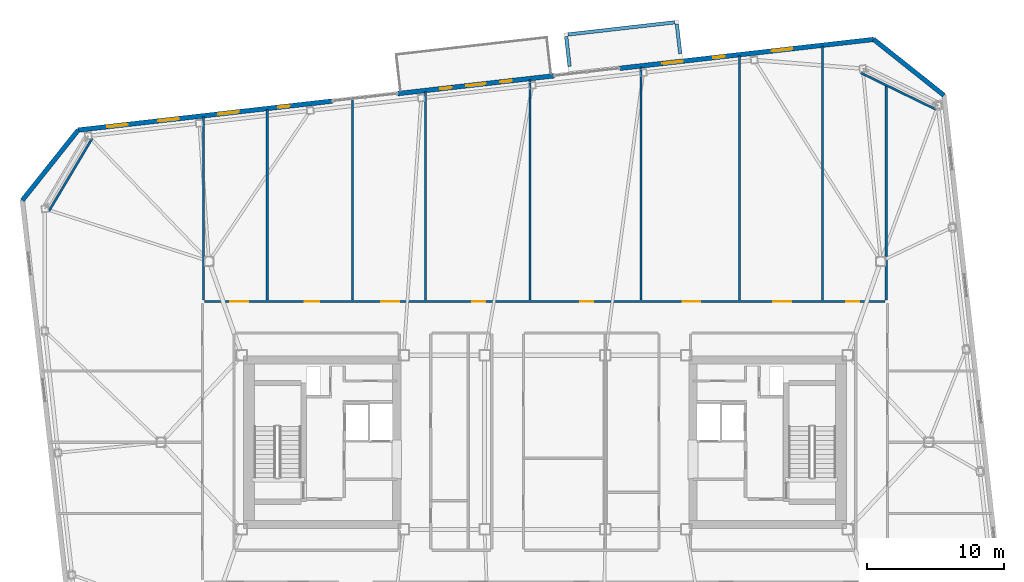
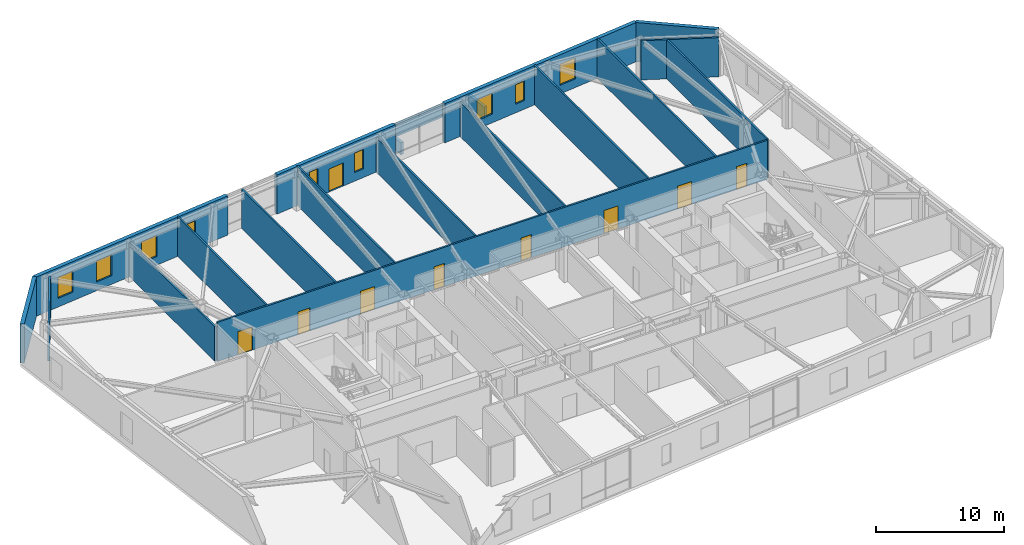
# One storey, part 15 of 20: 20 walls, 9 doors, 9 windows, 18 openings.
"""IFC4 building model written with IfcOpenShell, lengths in metres."""

from ifc_helpers import new_model, si_unit, direction, frame, frame_2d, origin, place, context, subcontext, project, spatial, rectangle, extrude, material, layer, layer_set, type_object, element, fill, save


model = new_model("IFC4")

# Units and contexts
model_context = context("Model", 3, precision=1e-05, world=origin(), true_north=direction((0.0, 1.0)))
body_context = subcontext(model_context, "Body", "Model", "MODEL_VIEW")
ifc_project = project(units=[si_unit("LENGTHUNIT", "METRE"), si_unit("AREAUNIT", "SQUARE_METRE"), si_unit("VOLUMEUNIT", "CUBIC_METRE"), si_unit("PLANEANGLEUNIT", "RADIAN"), si_unit("MASSUNIT", "GRAM", prefix="KILO")], contexts=[model_context])

# Site, building, storey
site_placement = place(None, origin())
site = spatial("IfcSite", under=ifc_project, at=site_placement, CompositionType="ELEMENT")
building_placement = place(site_placement, origin())
building = spatial("IfcBuilding", under=site, at=building_placement, Name="Tavrogorsk Clinical Tower", CompositionType="ELEMENT")
storey_placement = place(building_placement, frame((0.0, 0.0, 251.0)))
storey = spatial("IfcBuildingStorey", under=building, at=storey_placement, Name="L58", CompositionType="ELEMENT", Elevation=251.0)

# Walls
ifc_material_1 = material(Name="Lightweight concrete blockwork B15", Category="masonry")
ifc_layer_1 = layer(ifc_material_1, 0.159912109375)
ifc_layer_set_1 = layer_set([ifc_layer_1], Name="Lightweight concrete blockwork B15")
wall_type_1 = type_object("IfcWallType", Name="PartitionWall_160", PredefinedType="PARTITIONING", material=ifc_layer_set_1)
wall_1_placement = place(storey_placement, frame((28.5283203125, 24.27099609375, 0.0), z_axis=(0.0, 0.0, 1.0), x_axis=(-0.898820692789, 0.438316509173, 0.0)))
element("IfcWall", 1, at=wall_1_placement, inside=storey, type_object=wall_type_1, Name="L58 Corner Exoskeleton Brace Furring Wall 2", PredefinedType="PARTITIONING", context=body_context, shape_type="SweptSolid", body=[
    extrude(rectangle(XDim=6.10693359375, YDim=0.159912109375, at=frame_2d((3.053466796875, 0.0))), origin(), (0.0, 0.0, 1.0), 3.739990234375),
])
wall_2_placement = place(storey_placement, frame((-33.016357421875, 22.17138671875, 0.0), z_axis=(0.0, 0.0, 1.0), x_axis=(-0.511385266265, -0.859351563359, 0.0)))
element("IfcWall", 2, at=wall_2_placement, inside=storey, type_object=wall_type_1, Name="L58 Corner Exoskeleton Brace Furring Wall 3", PredefinedType="PARTITIONING", context=body_context, shape_type="SweptSolid", body=[
    extrude(rectangle(XDim=6.181884765625, YDim=0.159912109375, at=frame_2d((3.0908203125, 0.0))), origin(), (0.0, 0.0, 1.0), 3.739990234375),
])

# Wall, openings, doors
wall_3_placement = place(storey_placement, frame((-24.81494140625, 10.280029296875, 0.0), z_axis=(0.0, 0.0, 1.0), x_axis=(1.0, 0.0, 0.0)))
wall_3 = element("IfcWall", 3, at=wall_3_placement, inside=storey, type_object=wall_type_1, Name="L58 Corridor Partition 02", PredefinedType="PARTITIONING", context=body_context, shape_type="SweptSolid", body=[
    extrude(rectangle(XDim=49.6298828125, YDim=0.159912109375, at=frame_2d((24.81494140625, 0.0))), origin(), (0.0, 0.0, 1.0), 3.739990234375),
])
opening_1_placement = place(wall_3_placement, frame((1.869140625, 0.0, 0.0)))
opening_1 = element("IfcOpeningElement", 4, at=opening_1_placement, cuts=wall_3, Name="Opening ID-01", PredefinedType="OPENING", context=body_context, shape_type="SweptSolid", body=[
    extrude(rectangle(XDim=1.300048828125, YDim=2.199951171875, at=frame_2d((0.64990234375, 1.10009765625))), frame((0.0, 0.08984375, 0.0), z_axis=(0.0, -1.0, 0.0), x_axis=(1.0, 0.0, 0.0)), (0.0, 0.0, 1.0), 0.179931640625),
])
opening_2_placement = place(wall_3_placement, frame((7.28759765625, 0.0, 0.0)))
opening_2 = element("IfcOpeningElement", 5, at=opening_2_placement, cuts=wall_3, Name="Opening ID-04", PredefinedType="OPENING", context=body_context, shape_type="SweptSolid", body=[
    extrude(rectangle(XDim=1.050048828125, YDim=2.199951171875, at=frame_2d((0.52490234375, 1.10009765625))), frame((0.0, 0.08984375, 0.0), z_axis=(0.0, -1.0, 0.0), x_axis=(1.0, 0.0, 0.0)), (0.0, 0.0, 1.0), 0.179931640625),
])
opening_3_placement = place(wall_3_placement, frame((12.887451171875, 0.0, 0.0)))
opening_3 = element("IfcOpeningElement", 6, at=opening_3_placement, cuts=wall_3, Name="Opening ID-01", PredefinedType="OPENING", context=body_context, shape_type="SweptSolid", body=[
    extrude(rectangle(XDim=1.300048828125, YDim=2.199951171875, at=frame_2d((0.64990234375, 1.10009765625))), frame((0.0, 0.08984375, 0.0), z_axis=(0.0, -1.0, 0.0), x_axis=(1.0, 0.0, 0.0)), (0.0, 0.0, 1.0), 0.179931640625),
])
opening_4_placement = place(wall_3_placement, frame((19.530029296875, 0.0, 0.0)))
opening_4 = element("IfcOpeningElement", 7, at=opening_4_placement, cuts=wall_3, Name="Opening ID-02", PredefinedType="OPENING", context=body_context, shape_type="SweptSolid", body=[
    extrude(rectangle(XDim=0.949951171875, YDim=2.199951171875, at=frame_2d((0.47509765625, 1.10009765625))), frame((0.0, 0.08984375, 0.0), z_axis=(0.0, -1.0, 0.0), x_axis=(1.0, 0.0, 0.0)), (0.0, 0.0, 1.0), 0.179931640625),
])
opening_5_placement = place(wall_3_placement, frame((27.382568359375, 0.0, 0.0)))
opening_5 = element("IfcOpeningElement", 8, at=opening_5_placement, cuts=wall_3, Name="Opening ID-02", PredefinedType="OPENING", context=body_context, shape_type="SweptSolid", body=[
    extrude(rectangle(XDim=0.949951171875, YDim=2.199951171875, at=frame_2d((0.47509765625, 1.10009765625))), frame((0.0, 0.08984375, 0.0), z_axis=(0.0, -1.0, 0.0), x_axis=(1.0, 0.0, 0.0)), (0.0, 0.0, 1.0), 0.179931640625),
])
opening_6_placement = place(wall_3_placement, frame((34.8525390625, 0.0, 0.0)))
opening_6 = element("IfcOpeningElement", 9, at=opening_6_placement, cuts=wall_3, Name="Opening ID-01", PredefinedType="OPENING", context=body_context, shape_type="SweptSolid", body=[
    extrude(rectangle(XDim=1.300048828125, YDim=2.199951171875, at=frame_2d((0.64990234375, 1.10009765625))), frame((0.0, 0.08984375, 0.0), z_axis=(0.0, -1.0, 0.0), x_axis=(1.0, 0.0, 0.0)), (0.0, 0.0, 1.0), 0.179931640625),
])
opening_7_placement = place(wall_3_placement, frame((41.47509765625, 0.0, 0.0)))
opening_7 = element("IfcOpeningElement", 10, at=opening_7_placement, cuts=wall_3, Name="Opening ID-01", PredefinedType="OPENING", context=body_context, shape_type="SweptSolid", body=[
    extrude(rectangle(XDim=1.300048828125, YDim=2.199951171875, at=frame_2d((0.64990234375, 1.10009765625))), frame((0.0, 0.08984375, 0.0), z_axis=(0.0, -1.0, 0.0), x_axis=(1.0, 0.0, 0.0)), (0.0, 0.0, 1.0), 0.179931640625),
])
opening_8_placement = place(wall_3_placement, frame((46.805908203125, 0.0, 0.0)))
opening_8 = element("IfcOpeningElement", 11, at=opening_8_placement, cuts=wall_3, Name="Opening ID-02", PredefinedType="OPENING", context=body_context, shape_type="SweptSolid", body=[
    extrude(rectangle(XDim=0.949951171875, YDim=2.199951171875, at=frame_2d((0.47509765625, 1.10009765625))), frame((0.0, 0.08984375, 0.0), z_axis=(0.0, -1.0, 0.0), x_axis=(1.0, 0.0, 0.0)), (0.0, 0.0, 1.0), 0.179931640625),
])
ifc_material_2 = material(Name="Antibacterial HPL consultation door on aluminium frame", Category="aluminium")
door_type_1 = type_object("IfcDoorType", Name="ConsultDoor_ID04_1050", OperationType="NOTDEFINED", PredefinedType="DOOR", material=ifc_material_2)
door_1_placement = place(opening_2_placement, origin())
door_1 = element("IfcDoor", 12, at=door_1_placement, inside=storey, type_object=door_type_1, Name="L58 North Clinical Examination Suite 02A Door", OperationType="SINGLE_SWING_RIGHT", OverallHeight=2.199951171875, OverallWidth=1.050048828125, PredefinedType="DOOR", context=body_context, shape_type="SweptSolid", body=[
    extrude(rectangle(XDim=1.050048828125, YDim=2.199951171875, at=frame_2d((0.52490234375, 1.10009765625))), frame((0.0, 0.02490234375, 0.0), z_axis=(0.0, -1.0, 0.0), x_axis=(1.0, 0.0, 0.0)), (0.0, 0.0, 1.0), 0.050048828125),
])
fill(opening_2, door_1)
ifc_material_3 = material(Name="Laminated timber leaf on aluminium frame", Category="wood")
door_type_2 = type_object("IfcDoorType", Name="InteriorDoor_ID02_950", OperationType="NOTDEFINED", PredefinedType="DOOR", material=ifc_material_3)
door_2_placement = place(opening_4_placement, origin())
door_2 = element("IfcDoor", 13, at=door_2_placement, inside=storey, type_object=door_type_2, Name="L58 Terrace Recuperation Day Room & Lounge Door", OperationType="SINGLE_SWING_RIGHT", OverallHeight=2.199951171875, OverallWidth=0.949951171875, PredefinedType="DOOR", context=body_context, shape_type="SweptSolid", body=[
    extrude(rectangle(XDim=0.949951171875, YDim=2.199951171875, at=frame_2d((0.47509765625, 1.10009765625))), frame((0.0, 0.02490234375, 0.0), z_axis=(0.0, -1.0, 0.0), x_axis=(1.0, 0.0, 0.0)), (0.0, 0.0, 1.0), 0.050048828125),
])
fill(opening_4, door_2)
door_3_placement = place(opening_5_placement, origin())
door_3 = element("IfcDoor", 14, at=door_3_placement, inside=storey, type_object=door_type_2, Name="L58 North Physiotherapy Rehab Studio 04A Door", OperationType="SINGLE_SWING_LEFT", OverallHeight=2.199951171875, OverallWidth=0.949951171875, PredefinedType="DOOR", context=body_context, shape_type="SweptSolid", body=[
    extrude(rectangle(XDim=0.949951171875, YDim=2.199951171875, at=frame_2d((0.47509765625, 1.10009765625))), frame((0.0, 0.02490234375, 0.0), z_axis=(0.0, -1.0, 0.0), x_axis=(1.0, 0.0, 0.0)), (0.0, 0.0, 1.0), 0.050048828125),
])
fill(opening_5, door_3)
door_4_placement = place(opening_8_placement, origin())
door_4 = element("IfcDoor", 15, at=door_4_placement, inside=storey, type_object=door_type_2, Name="L58 North Physician Consultation Office 06 Door", OperationType="SINGLE_SWING_RIGHT", OverallHeight=2.199951171875, OverallWidth=0.949951171875, PredefinedType="DOOR", context=body_context, shape_type="SweptSolid", body=[
    extrude(rectangle(XDim=0.949951171875, YDim=2.199951171875, at=frame_2d((0.47509765625, 1.10009765625))), frame((0.0, 0.02490234375, 0.0), z_axis=(0.0, -1.0, 0.0), x_axis=(1.0, 0.0, 0.0)), (0.0, 0.0, 1.0), 0.050048828125),
])
fill(opening_8, door_4)
ifc_material_4 = material(Name="Antibacterial HPL medical leaf on aluminium frame", Category="aluminium")
door_type_3 = type_object("IfcDoorType", Name="WardBedDoor_ID01_1300", OperationType="NOTDEFINED", PredefinedType="DOOR", material=ifc_material_4)
door_5_placement = place(opening_1_placement, origin())
door_5 = element("IfcDoor", 16, at=door_5_placement, inside=storey, type_object=door_type_3, Name="L58 North Inpatient Clinical Ward 01 Door", OperationType="SINGLE_SWING_LEFT", OverallHeight=2.199951171875, OverallWidth=1.300048828125, PredefinedType="DOOR", context=body_context, shape_type="SweptSolid", body=[
    extrude(rectangle(XDim=1.300048828125, YDim=2.199951171875, at=frame_2d((0.64990234375, 1.10009765625))), frame((0.0, 0.02490234375, 0.0), z_axis=(0.0, -1.0, 0.0), x_axis=(1.0, 0.0, 0.0)), (0.0, 0.0, 1.0), 0.050048828125),
])
fill(opening_1, door_5)
door_6_placement = place(opening_3_placement, origin())
door_6 = element("IfcDoor", 17, at=door_6_placement, inside=storey, type_object=door_type_3, Name="L58 North Sub-Acute Recovery Ward 02B Door", OperationType="SINGLE_SWING_LEFT", OverallHeight=2.199951171875, OverallWidth=1.300048828125, PredefinedType="DOOR", context=body_context, shape_type="SweptSolid", body=[
    extrude(rectangle(XDim=1.300048828125, YDim=2.199951171875, at=frame_2d((0.64990234375, 1.10009765625))), frame((0.0, 0.02490234375, 0.0), z_axis=(0.0, -1.0, 0.0), x_axis=(1.0, 0.0, 0.0)), (0.0, 0.0, 1.0), 0.050048828125),
])
fill(opening_3, door_6)
door_7_placement = place(opening_6_placement, origin())
door_7 = element("IfcDoor", 18, at=door_7_placement, inside=storey, type_object=door_type_3, Name="L58 North Inpatient Clinical Ward 04B Door", OperationType="SINGLE_SWING_RIGHT", OverallHeight=2.199951171875, OverallWidth=1.300048828125, PredefinedType="DOOR", context=body_context, shape_type="SweptSolid", body=[
    extrude(rectangle(XDim=1.300048828125, YDim=2.199951171875, at=frame_2d((0.64990234375, 1.10009765625))), frame((0.0, 0.02490234375, 0.0), z_axis=(0.0, -1.0, 0.0), x_axis=(1.0, 0.0, 0.0)), (0.0, 0.0, 1.0), 0.050048828125),
])
fill(opening_6, door_7)
door_8_placement = place(opening_7_placement, origin())
door_8 = element("IfcDoor", 19, at=door_8_placement, inside=storey, type_object=door_type_3, Name="L58 North Step-Down Telemetry Ward 05 Door", OperationType="SINGLE_SWING_LEFT", OverallHeight=2.199951171875, OverallWidth=1.300048828125, PredefinedType="DOOR", context=body_context, shape_type="SweptSolid", body=[
    extrude(rectangle(XDim=1.300048828125, YDim=2.199951171875, at=frame_2d((0.64990234375, 1.10009765625))), frame((0.0, 0.02490234375, 0.0), z_axis=(0.0, -1.0, 0.0), x_axis=(1.0, 0.0, 0.0)), (0.0, 0.0, 1.0), 0.050048828125),
])
fill(opening_7, door_8)

# Walls
wall_4_placement = place(storey_placement, frame((-24.89990234375, 10.364990234375, 0.0), z_axis=(0.0, 0.0, 1.0), x_axis=(0.0, 1.0, 0.0)))
element("IfcWall", 20, at=wall_4_placement, inside=storey, type_object=wall_type_1, Name="L58 NW Wing Closure Partition", PredefinedType="PARTITIONING", context=body_context, shape_type="SweptSolid", body=[
    extrude(rectangle(XDim=13.38134765625, YDim=0.159912109375, at=frame_2d((6.690673828125, 0.0))), origin(), (0.0, 0.0, 1.0), 3.284912109375),
])
wall_5_placement = place(storey_placement, frame((24.89990234375, 10.364990234375, 0.0), z_axis=(0.0, 0.0, 1.0), x_axis=(0.0, 1.0, 0.0)))
element("IfcWall", 21, at=wall_5_placement, inside=storey, type_object=wall_type_1, Name="L58 NE Wing Closure Partition", PredefinedType="PARTITIONING", context=body_context, shape_type="SweptSolid", body=[
    extrude(rectangle(XDim=15.679443359375, YDim=0.159912109375, at=frame_2d((7.83984375, 0.0))), origin(), (0.0, 0.0, 1.0), 3.739990234375),
])
wall_6_placement = place(storey_placement, frame((-20.25, 10.364990234375, 0.0), z_axis=(0.0, 0.0, 1.0), x_axis=(0.0, 1.0, 0.0)))
element("IfcWall", 22, at=wall_6_placement, inside=storey, type_object=wall_type_1, Name="L58 North Room Partition 1", PredefinedType="PARTITIONING", context=body_context, shape_type="SweptSolid", body=[
    extrude(rectangle(XDim=13.9111328125, YDim=0.159912109375, at=frame_2d((6.95556640625, 0.0))), origin(), (0.0, 0.0, 1.0), 3.739990234375),
])
wall_7_placement = place(storey_placement, frame((-8.699951171875, 10.364990234375, 0.0), z_axis=(0.0, 0.0, 1.0), x_axis=(0.0, 1.0, 0.0)))
element("IfcWall", 23, at=wall_7_placement, inside=storey, type_object=wall_type_1, Name="L58 North Room Partition 2", PredefinedType="PARTITIONING", context=body_context, shape_type="SweptSolid", body=[
    extrude(rectangle(XDim=15.22705078125, YDim=0.159912109375, at=frame_2d((7.613525390625, 0.0))), origin(), (0.0, 0.0, 1.0), 3.739990234375),
])
wall_8_placement = place(storey_placement, frame((-1.090087890625, 10.364990234375, 0.0), z_axis=(0.0, 0.0, 1.0), x_axis=(0.0, 1.0, 0.0)))
element("IfcWall", 24, at=wall_8_placement, inside=storey, type_object=wall_type_1, Name="L58 North Room Partition 3", PredefinedType="PARTITIONING", context=body_context, shape_type="SweptSolid", body=[
    extrude(rectangle(XDim=16.093994140625, YDim=0.159912109375, at=frame_2d((8.046875, 0.0))), origin(), (0.0, 0.0, 1.0), 3.284912109375),
])
wall_9_placement = place(storey_placement, frame((14.199951171875, 10.364990234375, 0.0), z_axis=(0.0, 0.0, 1.0), x_axis=(0.0, 1.0, 0.0)))
element("IfcWall", 25, at=wall_9_placement, inside=storey, type_object=wall_type_1, Name="L58 North Room Partition 4", PredefinedType="PARTITIONING", context=body_context, shape_type="SweptSolid", body=[
    extrude(rectangle(XDim=17.836181640625, YDim=0.159912109375, at=frame_2d((8.91796875, 0.0))), origin(), (0.0, 0.0, 1.0), 3.739990234375),
])
wall_10_placement = place(storey_placement, frame((20.25, 10.364990234375, 0.0), z_axis=(0.0, 0.0, 1.0), x_axis=(0.0, 1.0, 0.0)))
element("IfcWall", 26, at=wall_10_placement, inside=storey, type_object=wall_type_1, Name="L58 North Room Partition 5", PredefinedType="PARTITIONING", context=body_context, shape_type="SweptSolid", body=[
    extrude(rectangle(XDim=18.525390625, YDim=0.159912109375, at=frame_2d((9.2626953125, 0.0))), origin(), (0.0, 0.0, 1.0), 3.739990234375),
])
wall_11_placement = place(storey_placement, frame((-14.02490234375, 10.364990234375, 0.0), z_axis=(0.0, 0.0, 1.0), x_axis=(0.0, 1.0, 0.0)))
element("IfcWall", 27, at=wall_11_placement, inside=storey, type_object=wall_type_1, Name="L58 North Sub-Partition 2", PredefinedType="PARTITIONING", context=body_context, shape_type="SweptSolid", body=[
    extrude(rectangle(XDim=14.620361328125, YDim=0.159912109375, at=frame_2d((7.31005859375, 0.0))), origin(), (0.0, 0.0, 1.0), 3.739990234375),
])
wall_12_placement = place(storey_placement, frame((7.0048828125, 10.364990234375, 0.0), z_axis=(0.0, 0.0, 1.0), x_axis=(0.0, 1.0, 0.0)))
element("IfcWall", 28, at=wall_12_placement, inside=storey, type_object=wall_type_1, Name="L58 North Sub-Partition 4", PredefinedType="PARTITIONING", context=body_context, shape_type="SweptSolid", body=[
    extrude(rectangle(XDim=17.016357421875, YDim=0.159912109375, at=frame_2d((8.50830078125, 0.0))), origin(), (0.0, 0.0, 1.0), 3.284912109375),
])

# Wall, openings, windows
ifc_material_5 = material(Name="Precast concrete B45 with limestone cladding", Category="masonry")
ifc_layer_2 = layer(ifc_material_5, 0.340087890625)
ifc_layer_set_2 = layer_set([ifc_layer_2], Name="Precast concrete B45 with limestone cladding")
wall_type_2 = type_object("IfcWallType", Name="PrecastLimestoneWall_340", PredefinedType="STANDARD", material=ifc_layer_set_2)
wall_13_placement = place(storey_placement, frame((23.982666015625, 29.38623046875, 0.0), z_axis=(0.0, 0.0, 1.0), x_axis=(-0.993572271362, -0.113199565282, 0.0)))
wall_13 = element("IfcWall", 29, at=wall_13_placement, inside=storey, type_object=wall_type_2, Name="L58 N Limestone Facade Wall 1", PredefinedType="STANDARD", context=body_context, shape_type="SweptSolid", body=[
    extrude(rectangle(XDim=18.6513671875, YDim=0.340087890625, at=frame_2d((9.32568359375, 0.0))), origin(), (0.0, 0.0, 1.0), 3.739990234375),
])
opening_9_placement = place(wall_13_placement, frame((14.027099609375, 0.0, 0.830078125)))
opening_9 = element("IfcOpeningElement", 30, at=opening_9_placement, cuts=wall_13, Name="Opening WN-05", PredefinedType="OPENING", context=body_context, shape_type="SweptSolid", body=[
    extrude(rectangle(XDim=1.5, YDim=2.0, at=frame_2d((0.75, 1.0))), frame((0.0, 0.179931640625, 0.0), z_axis=(0.0, -1.0, 0.0), x_axis=(1.0, 0.0, 0.0)), (0.0, 0.0, 1.0), 0.360107421875),
])
opening_10_placement = place(wall_13_placement, frame((10.9287109375, 0.0, 0.830078125)))
opening_10 = element("IfcOpeningElement", 31, at=opening_10_placement, cuts=wall_13, Name="Opening WN-06", PredefinedType="OPENING", context=body_context, shape_type="SweptSolid", body=[
    extrude(rectangle(XDim=0.85009765625, YDim=1.85009765625, at=frame_2d((0.425048828125, 0.925048828125))), frame((0.0, 0.179931640625, 0.0), z_axis=(0.0, -1.0, 0.0), x_axis=(1.0, 0.0, 0.0)), (0.0, 0.0, 1.0), 0.360107421875),
])
opening_11_placement = place(wall_13_placement, frame((5.97314453125, 0.0, 0.830078125)))
opening_11 = element("IfcOpeningElement", 32, at=opening_11_placement, cuts=wall_13, Name="Opening WN-05", PredefinedType="OPENING", context=body_context, shape_type="SweptSolid", body=[
    extrude(rectangle(XDim=1.5, YDim=2.0, at=frame_2d((0.75, 1.0))), frame((0.0, 0.179931640625, 0.0), z_axis=(0.0, -1.0, 0.0), x_axis=(1.0, 0.0, 0.0)), (0.0, 0.0, 1.0), 0.360107421875),
])
ifc_material_6 = material(Name="Thermally broken aluminium frame and triple IGU", Category="aluminium")
window_type_1 = type_object("IfcWindowType", Name="ConsultWin_1500x2000", PartitioningType="SINGLE_PANEL", PredefinedType="WINDOW", material=ifc_material_6)
window_1_placement = place(opening_9_placement, origin())
window_1 = element("IfcWindow", 33, at=window_1_placement, inside=storey, type_object=window_type_1, Name="L58 N Chicago Window 07", OverallHeight=2.0, OverallWidth=1.5, PartitioningType="SINGLE_PANEL", PredefinedType="WINDOW", context=body_context, shape_type="SweptSolid", body=[
    extrude(rectangle(XDim=1.5, YDim=2.0, at=frame_2d((0.75, 1.0))), frame((0.0, 0.030029296875, 0.0), z_axis=(0.0, -1.0, 0.0), x_axis=(1.0, 0.0, 0.0)), (0.0, 0.0, 1.0), 0.06005859375),
])
fill(opening_9, window_1)
window_2_placement = place(opening_11_placement, origin())
window_2 = element("IfcWindow", 34, at=window_2_placement, inside=storey, type_object=window_type_1, Name="L58 N Chicago Window 09", OverallHeight=2.0, OverallWidth=1.5, PartitioningType="SINGLE_PANEL", PredefinedType="WINDOW", context=body_context, shape_type="SweptSolid", body=[
    extrude(rectangle(XDim=1.5, YDim=2.0, at=frame_2d((0.75, 1.0))), frame((0.0, 0.030029296875, 0.0), z_axis=(0.0, -1.0, 0.0), x_axis=(1.0, 0.0, 0.0)), (0.0, 0.0, 1.0), 0.06005859375),
])
fill(opening_11, window_2)
ifc_material_7 = material(Name="Thermally broken aluminium frame and triple IGU", Category="aluminium")
window_type_2 = type_object("IfcWindowType", Name="MullionSubWin_850x1850", PartitioningType="SINGLE_PANEL", PredefinedType="WINDOW", material=ifc_material_7)
window_3_placement = place(opening_10_placement, origin())
window_3 = element("IfcWindow", 35, at=window_3_placement, inside=storey, type_object=window_type_2, Name="L58 N Mullion Split Window 08B", OverallHeight=1.85009765625, OverallWidth=0.85009765625, PartitioningType="SINGLE_PANEL", PredefinedType="WINDOW", context=body_context, shape_type="SweptSolid", body=[
    extrude(rectangle(XDim=0.85009765625, YDim=1.85009765625, at=frame_2d((0.425048828125, 0.925048828125))), frame((0.0, 0.030029296875, 0.0), z_axis=(0.0, -1.0, 0.0), x_axis=(1.0, 0.0, 0.0)), (0.0, 0.0, 1.0), 0.06005859375),
])
fill(opening_10, window_3)

# Wall, openings, windows, door
wall_14_placement = place(storey_placement, frame((0.681884765625, 26.7314453125, 0.0), z_axis=(0.0, 0.0, 1.0), x_axis=(-0.993571968199, -0.113202226169, 0.0)))
wall_14 = element("IfcWall", 36, at=wall_14_placement, inside=storey, type_object=wall_type_2, Name="L58 N Limestone Facade Wall 2", PredefinedType="STANDARD", context=body_context, shape_type="SweptSolid", body=[
    extrude(rectangle(XDim=11.497314453125, YDim=0.340087890625, at=frame_2d((5.74853515625, 0.0))), origin(), (0.0, 0.0, 1.0), 3.739990234375),
])
opening_12_placement = place(wall_14_placement, frame((5.048583984375, 0.0, 0.0)))
opening_12 = element("IfcOpeningElement", 37, at=opening_12_placement, cuts=wall_14, Name="Opening ED-03", PredefinedType="OPENING", context=body_context, shape_type="SweptSolid", body=[
    extrude(rectangle(XDim=1.39990234375, YDim=2.199951171875, at=frame_2d((0.699951171875, 1.10009765625))), frame((0.0, 0.179931640625, 0.0), z_axis=(0.0, -1.0, 0.0), x_axis=(1.0, 0.0, 0.0)), (0.0, 0.0, 1.0), 0.360107421875),
])
opening_13_placement = place(wall_14_placement, frame((7.522705078125, 0.0, 0.830078125)))
opening_13 = element("IfcOpeningElement", 38, at=opening_13_placement, cuts=wall_14, Name="Opening WN-06", PredefinedType="OPENING", context=body_context, shape_type="SweptSolid", body=[
    extrude(rectangle(XDim=0.85009765625, YDim=1.85009765625, at=frame_2d((0.425048828125, 0.925048828125))), frame((0.0, 0.179931640625, 0.0), z_axis=(0.0, -1.0, 0.0), x_axis=(1.0, 0.0, 0.0)), (0.0, 0.0, 1.0), 0.360107421875),
])
opening_14_placement = place(wall_14_placement, frame((3.12451171875, 0.0, 0.830078125)))
opening_14 = element("IfcOpeningElement", 39, at=opening_14_placement, cuts=wall_14, Name="Opening WN-06", PredefinedType="OPENING", context=body_context, shape_type="SweptSolid", body=[
    extrude(rectangle(XDim=0.85009765625, YDim=1.85009765625, at=frame_2d((0.425048828125, 0.925048828125))), frame((0.0, 0.179931640625, 0.0), z_axis=(0.0, -1.0, 0.0), x_axis=(1.0, 0.0, 0.0)), (0.0, 0.0, 1.0), 0.360107421875),
])
window_4_placement = place(opening_13_placement, origin())
window_4 = element("IfcWindow", 40, at=window_4_placement, inside=storey, type_object=window_type_2, Name="L58 N Mullion Split Window 05B", OverallHeight=1.85009765625, OverallWidth=0.85009765625, PartitioningType="SINGLE_PANEL", PredefinedType="WINDOW", context=body_context, shape_type="SweptSolid", body=[
    extrude(rectangle(XDim=0.85009765625, YDim=1.85009765625, at=frame_2d((0.425048828125, 0.925048828125))), frame((0.0, 0.030029296875, 0.0), z_axis=(0.0, -1.0, 0.0), x_axis=(1.0, 0.0, 0.0)), (0.0, 0.0, 1.0), 0.06005859375),
])
fill(opening_13, window_4)
window_5_placement = place(opening_14_placement, origin())
window_5 = element("IfcWindow", 41, at=window_5_placement, inside=storey, type_object=window_type_2, Name="L58 N Mullion Split Window 06A", OverallHeight=1.85009765625, OverallWidth=0.85009765625, PartitioningType="SINGLE_PANEL", PredefinedType="WINDOW", context=body_context, shape_type="SweptSolid", body=[
    extrude(rectangle(XDim=0.85009765625, YDim=1.85009765625, at=frame_2d((0.425048828125, 0.925048828125))), frame((0.0, 0.030029296875, 0.0), z_axis=(0.0, -1.0, 0.0), x_axis=(1.0, 0.0, 0.0)), (0.0, 0.0, 1.0), 0.06005859375),
])
fill(opening_14, window_5)
ifc_material_8 = material(Name="Thermally broken aluminium and laminated safety glass", Category="aluminium")
door_type_4 = type_object("IfcDoorType", Name="TerraceGlassDoor_ED03_1400", OperationType="DOUBLE_SWING_LEFT", PredefinedType="DOOR", material=ifc_material_8)
door_9_placement = place(opening_12_placement, origin())
door_9 = element("IfcDoor", 42, at=door_9_placement, inside=storey, type_object=door_type_4, Name="L58 Spiralling Recuperation Terrace Door ED-03", OperationType="DOUBLE_SWING_LEFT", OverallHeight=2.199951171875, OverallWidth=1.39990234375, PredefinedType="DOOR", context=body_context, shape_type="SweptSolid", body=[
    extrude(rectangle(XDim=1.39990234375, YDim=2.199951171875, at=frame_2d((0.699951171875, 1.10009765625))), frame((0.0, 0.02490234375, 0.0), z_axis=(0.0, -1.0, 0.0), x_axis=(1.0, 0.0, 0.0)), (0.0, 0.0, 1.0), 0.050048828125),
])
fill(opening_12, door_9)

# Wall, openings, windows
wall_15_placement = place(storey_placement, frame((-15.510498046875, 24.886474609375, 0.0), z_axis=(0.0, 0.0, 1.0), x_axis=(-0.993572271362, -0.113199565282, 0.0)))
wall_15 = element("IfcWall", 43, at=wall_15_placement, inside=storey, type_object=wall_type_2, Name="L58 N Limestone Facade Wall 3", PredefinedType="STANDARD", context=body_context, shape_type="SweptSolid", body=[
    extrude(rectangle(XDim=18.6513671875, YDim=0.340087890625, at=frame_2d((9.32568359375, 0.0))), origin(), (0.0, 0.0, 1.0), 3.739990234375),
])
opening_15_placement = place(wall_15_placement, frame((15.021240234375, 0.0, 0.830078125)))
opening_15 = element("IfcOpeningElement", 44, at=opening_15_placement, cuts=wall_15, Name="Opening WN-05", PredefinedType="OPENING", context=body_context, shape_type="SweptSolid", body=[
    extrude(rectangle(XDim=1.5, YDim=2.0, at=frame_2d((0.75, 1.0))), frame((0.0, 0.179931640625, 0.0), z_axis=(0.0, -1.0, 0.0), x_axis=(1.0, 0.0, 0.0)), (0.0, 0.0, 1.0), 0.360107421875),
])
opening_16_placement = place(wall_15_placement, frame((11.27294921875, 0.0, 0.830078125)))
opening_16 = element("IfcOpeningElement", 45, at=opening_16_placement, cuts=wall_15, Name="Opening WN-05", PredefinedType="OPENING", context=body_context, shape_type="SweptSolid", body=[
    extrude(rectangle(XDim=1.5, YDim=2.0, at=frame_2d((0.75, 1.0))), frame((0.0, 0.179931640625, 0.0), z_axis=(0.0, -1.0, 0.0), x_axis=(1.0, 0.0, 0.0)), (0.0, 0.0, 1.0), 0.360107421875),
])
opening_17_placement = place(wall_15_placement, frame((6.872802734375, 0.0, 0.830078125)))
opening_17 = element("IfcOpeningElement", 46, at=opening_17_placement, cuts=wall_15, Name="Opening WN-05", PredefinedType="OPENING", context=body_context, shape_type="SweptSolid", body=[
    extrude(rectangle(XDim=1.5, YDim=2.0, at=frame_2d((0.75, 1.0))), frame((0.0, 0.179931640625, 0.0), z_axis=(0.0, -1.0, 0.0), x_axis=(1.0, 0.0, 0.0)), (0.0, 0.0, 1.0), 0.360107421875),
])
opening_18_placement = place(wall_15_placement, frame((3.12451171875, 0.0, 0.830078125)))
opening_18 = element("IfcOpeningElement", 47, at=opening_18_placement, cuts=wall_15, Name="Opening WN-06", PredefinedType="OPENING", context=body_context, shape_type="SweptSolid", body=[
    extrude(rectangle(XDim=0.85009765625, YDim=1.85009765625, at=frame_2d((0.425048828125, 0.925048828125))), frame((0.0, 0.179931640625, 0.0), z_axis=(0.0, -1.0, 0.0), x_axis=(1.0, 0.0, 0.0)), (0.0, 0.0, 1.0), 0.360107421875),
])
window_6_placement = place(opening_15_placement, origin())
window_6 = element("IfcWindow", 48, at=window_6_placement, inside=storey, type_object=window_type_1, Name="L58 N Chicago Window 01", OverallHeight=2.0, OverallWidth=1.5, PartitioningType="SINGLE_PANEL", PredefinedType="WINDOW", context=body_context, shape_type="SweptSolid", body=[
    extrude(rectangle(XDim=1.5, YDim=2.0, at=frame_2d((0.75, 1.0))), frame((0.0, 0.030029296875, 0.0), z_axis=(0.0, -1.0, 0.0), x_axis=(1.0, 0.0, 0.0)), (0.0, 0.0, 1.0), 0.06005859375),
])
fill(opening_15, window_6)
window_7_placement = place(opening_16_placement, origin())
window_7 = element("IfcWindow", 49, at=window_7_placement, inside=storey, type_object=window_type_1, Name="L58 N Chicago Window 02", OverallHeight=2.0, OverallWidth=1.5, PartitioningType="SINGLE_PANEL", PredefinedType="WINDOW", context=body_context, shape_type="SweptSolid", body=[
    extrude(rectangle(XDim=1.5, YDim=2.0, at=frame_2d((0.75, 1.0))), frame((0.0, 0.030029296875, 0.0), z_axis=(0.0, -1.0, 0.0), x_axis=(1.0, 0.0, 0.0)), (0.0, 0.0, 1.0), 0.06005859375),
])
fill(opening_16, window_7)
window_8_placement = place(opening_17_placement, origin())
window_8 = element("IfcWindow", 50, at=window_8_placement, inside=storey, type_object=window_type_1, Name="L58 N Chicago Window 03", OverallHeight=2.0, OverallWidth=1.5, PartitioningType="SINGLE_PANEL", PredefinedType="WINDOW", context=body_context, shape_type="SweptSolid", body=[
    extrude(rectangle(XDim=1.5, YDim=2.0, at=frame_2d((0.75, 1.0))), frame((0.0, 0.030029296875, 0.0), z_axis=(0.0, -1.0, 0.0), x_axis=(1.0, 0.0, 0.0)), (0.0, 0.0, 1.0), 0.06005859375),
])
fill(opening_17, window_8)
window_9_placement = place(opening_18_placement, origin())
window_9 = element("IfcWindow", 51, at=window_9_placement, inside=storey, type_object=window_type_2, Name="L58 N Mullion Split Window 04A", OverallHeight=1.85009765625, OverallWidth=0.85009765625, PartitioningType="SINGLE_PANEL", PredefinedType="WINDOW", context=body_context, shape_type="SweptSolid", body=[
    extrude(rectangle(XDim=0.85009765625, YDim=1.85009765625, at=frame_2d((0.425048828125, 0.925048828125))), frame((0.0, 0.030029296875, 0.0), z_axis=(0.0, -1.0, 0.0), x_axis=(1.0, 0.0, 0.0)), (0.0, 0.0, 1.0), 0.06005859375),
])
fill(opening_18, window_9)

# Walls
for number, where, z_axis, x_axis, name in (
    (52, (29.10693359375, 25.31005859375, 0.0), (0.0, 0.0, 1.0), (-0.78259733853, 0.62252823689, 0.0), "L58 Chamfered Corner Wall 2"),
    (53, (-34.0419921875, 22.775146484375, 0.0), (0.0, 0.0, 1.0), (-0.62252823689, -0.78259733853, 0.0), "L58 Chamfered Corner Wall 3"),
):
    element("IfcWall", number, at=place(storey_placement, frame(where, z_axis=z_axis, x_axis=x_axis)), inside=storey, type_object=wall_type_2, Name=name, PredefinedType="STANDARD", context=body_context, shape_type="SweptSolid", body=[
        extrude(rectangle(XDim=6.5478515625, YDim=0.340087890625, at=frame_2d((3.27392578125, 0.0))), origin(), (0.0, 0.0, 1.0), 3.739990234375),
    ])
ifc_material_9 = material(Name="Concrete B60", Category="concrete")
ifc_layer_3 = layer(ifc_material_9, 0.25)
ifc_layer_set_3 = layer_set([ifc_layer_3], Name="Concrete B60")
wall_type_3 = type_object("IfcWallType", Name="RoofParapetWall_250", PredefinedType="PARAPET", material=ifc_layer_set_3)
wall_16_placement = place(storey_placement, frame((1.80224609375, 27.422607421875, 0.0), z_axis=(0.0, 0.0, 1.0), x_axis=(-0.113221265394, 0.993569798787, 0.0)))
element("IfcWall", 54, at=wall_16_placement, inside=storey, type_object=wall_type_3, Name="L58 Day-Room Roof Coping Parapet DRB-08-1", PredefinedType="PARAPET", context=body_context, shape_type="SweptSolid", body=[
    extrude(rectangle(XDim=2.179931640625, YDim=0.25, at=frame_2d((1.08984375, 0.0))), origin(), (0.0, 0.0, 1.0), 1.14990234375),
])
wall_17_placement = place(storey_placement, frame((1.6787109375, 29.74365234375, 0.0), z_axis=(0.0, 0.0, 1.0), x_axis=(0.993573058551, 0.113192655776, 0.0)))
element("IfcWall", 55, at=wall_17_placement, inside=storey, type_object=wall_type_3, Name="L58 Day-Room Roof Coping Parapet DRB-08-2", PredefinedType="PARAPET", context=body_context, shape_type="SweptSolid", body=[
    extrude(rectangle(XDim=7.840087890625, YDim=0.25, at=frame_2d((3.919921875, 0.0))), origin(), (0.0, 0.0, 1.0), 1.14990234375),
])
wall_18_placement = place(storey_placement, frame((9.623291015625, 30.5078125, 0.0), z_axis=(0.0, 0.0, 1.0), x_axis=(0.113221265394, -0.993569798787, 0.0)))
element("IfcWall", 56, at=wall_18_placement, inside=storey, type_object=wall_type_3, Name="L58 Day-Room Roof Coping Parapet DRB-08-3", PredefinedType="PARAPET", context=body_context, shape_type="SweptSolid", body=[
    extrude(rectangle(XDim=2.179931640625, YDim=0.25, at=frame_2d((1.08984375, 0.0))), origin(), (0.0, 0.0, 1.0), 1.14990234375),
])

save(model, "model.ifc")
